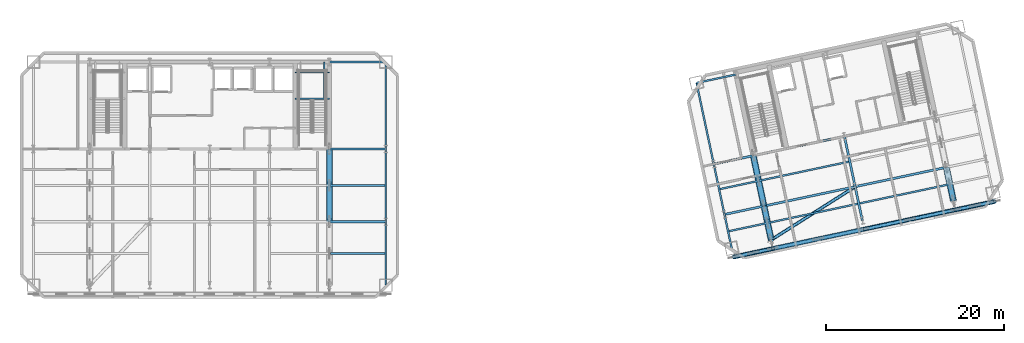
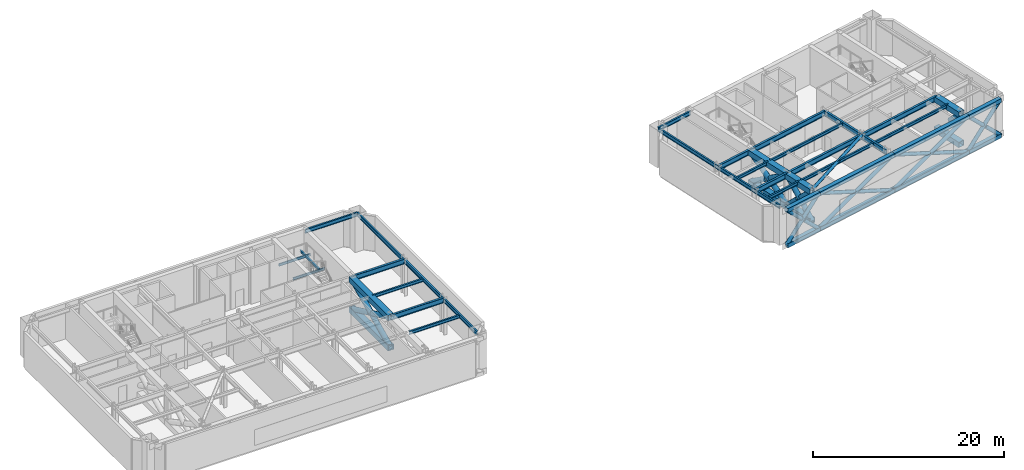
# One storey, part 4 of 15: 39 members, 27 beams.
"""IFC4 building model written with IfcOpenShell, lengths in metres."""

from ifc_helpers import new_model, si_unit, direction, frame, origin, origin_2d, place, context, subcontext, project, spatial, hollow_rectangle, hollow_circle, i_section, extrude, material, material_profile, profile_set, type_object, element, save


model = new_model("IFC4")

# Units and contexts
model_context = context("Model", 3, precision=1e-05, world=origin(), true_north=direction((0.0, 1.0)))
body_context = subcontext(model_context, "Body", "Model", "MODEL_VIEW")
ifc_project = project(units=[si_unit("LENGTHUNIT", "METRE"), si_unit("AREAUNIT", "SQUARE_METRE"), si_unit("VOLUMEUNIT", "CUBIC_METRE"), si_unit("PLANEANGLEUNIT", "RADIAN"), si_unit("MASSUNIT", "GRAM", prefix="KILO")], contexts=[model_context])

# Site, building, storey
site_placement = place(None, origin())
site = spatial("IfcSite", under=ifc_project, at=site_placement, CompositionType="ELEMENT")
building_placement = place(site_placement, origin())
building = spatial("IfcBuilding", under=site, at=building_placement, Name="Haevon Station Towers", CompositionType="ELEMENT")
storey_placement = place(building_placement, frame((0.0, 0.0, 138.0)))
storey = spatial("IfcBuildingStorey", under=building, at=storey_placement, Name="L37", CompositionType="ELEMENT", Elevation=138.0)

# Beams
ifc_material_1 = material(Name="Steel S355", Category="steel")
ifc_material_profile_1 = material_profile(ifc_material_1, i_section(OverallWidth=0.25, OverallDepth=0.64990234375, WebThickness=0.012939453125, FlangeThickness=0.02197265625, at=origin_2d()), Name="H-650x250x13x22")
ifc_profile_set_1 = profile_set([ifc_material_profile_1], Name="Steel S355")
beam_type_1 = type_object("IfcBeamType", Name="BM-G650", PredefinedType="BEAM", material=ifc_profile_set_1)
for number, where, z_axis, x_axis, name in (
    (1, (51.0, 30.0, 4.22509765625), (1.0, 0.0, 0.0), (0.0, 1.0, 0.0), "BM-T1U-L37-02-06"),
    (2, (51.0, 38.199951171875, 4.22509765625), (1.0, 0.0, 0.0), (0.0, 1.0, 0.0), "BM-T1U-L37-03-06"),
):
    element("IfcBeam", number, at=place(storey_placement, frame(where, z_axis=z_axis, x_axis=x_axis)), inside=storey, type_object=beam_type_1, Name=name, PredefinedType="BEAM", context=body_context, shape_type="SweptSolid", body=[
        extrude(i_section(OverallWidth=0.25, OverallDepth=0.64990234375, WebThickness=0.012939453125, FlangeThickness=0.02197265625, at=origin_2d()), origin(), (0.0, 0.0, 1.0), 6.35009765625),
    ])
beam_1_placement = place(storey_placement, frame((95.507568359375, 30.8232421875, 4.22509765625), z_axis=(0.978157487225, 0.207865173094, 0.0), x_axis=(-0.207865173094, 0.978157487225, 0.0)))
element("IfcBeam", 3, at=beam_1_placement, inside=storey, type_object=beam_type_1, Name="BM-T2U-L37-02-01", PredefinedType="BEAM", context=body_context, shape_type="SweptSolid", body=[
    extrude(i_section(OverallWidth=0.25, OverallDepth=0.64990234375, WebThickness=0.012939453125, FlangeThickness=0.02197265625, at=origin_2d()), origin(), (0.0, 0.0, 1.0), 4.550048828125),
])
for number, where, z_axis, x_axis, name in (
    (4, (99.958251953125, 31.76904296875, 4.22509765625), (0.978146794194, 0.207915485254, 0.0), (-0.207915485254, 0.978146794194, 0.0), "BM-T2U-L37-02-02"),
    (5, (110.228759765625, 33.9521484375, 4.22509765625), (0.978146794194, 0.207915485254, 0.0), (-0.207915485254, 0.978146794194, 0.0), "BM-T2U-L37-02-03"),
):
    element("IfcBeam", number, at=place(storey_placement, frame(where, z_axis=z_axis, x_axis=x_axis)), inside=storey, type_object=beam_type_1, Name=name, PredefinedType="BEAM", context=body_context, shape_type="SweptSolid", body=[
        extrude(i_section(OverallWidth=0.25, OverallDepth=0.64990234375, WebThickness=0.012939453125, FlangeThickness=0.02197265625, at=origin_2d()), origin(), (0.0, 0.0, 1.0), 10.5),
    ])
beam_2_placement = place(storey_placement, frame((94.3017578125, 36.496337890625, 4.22509765625), z_axis=(0.978146576304, 0.207916510322, 0.0), x_axis=(-0.207916510322, 0.978146576304, 0.0)))
element("IfcBeam", 6, at=beam_2_placement, inside=storey, type_object=beam_type_1, Name="BM-T2U-L37-03-01", PredefinedType="BEAM", context=body_context, shape_type="SweptSolid", body=[
    extrude(i_section(OverallWidth=0.25, OverallDepth=0.64990234375, WebThickness=0.012939453125, FlangeThickness=0.02197265625, at=origin_2d()), origin(), (0.0, 0.0, 1.0), 4.550048828125),
])
beam_3_placement = place(storey_placement, frame((98.75244140625, 37.4423828125, 4.22509765625), z_axis=(0.978146794194, 0.207915485254, 0.0), x_axis=(-0.207915485254, 0.978146794194, 0.0)))
element("IfcBeam", 7, at=beam_3_placement, inside=storey, type_object=beam_type_1, Name="BM-T2U-L37-03-02", PredefinedType="BEAM", context=body_context, shape_type="SweptSolid", body=[
    extrude(i_section(OverallWidth=0.25, OverallDepth=0.64990234375, WebThickness=0.012939453125, FlangeThickness=0.02197265625, at=origin_2d()), origin(), (0.0, 0.0, 1.0), 10.5),
])
beam_4_placement = place(storey_placement, frame((111.03955078125, 30.137451171875, 4.22509765625), z_axis=(-0.207899934746, 0.97815009949, 0.0), x_axis=(-0.97815009949, -0.207899934746, 0.0)))
element("IfcBeam", 8, at=beam_4_placement, inside=storey, type_object=beam_type_1, Name="BM-T2V-L37-03-01", PredefinedType="BEAM", context=body_context, shape_type="SweptSolid", body=[
    extrude(i_section(OverallWidth=0.25, OverallDepth=0.64990234375, WebThickness=0.012939453125, FlangeThickness=0.02197265625, at=origin_2d()), origin(), (0.0, 0.0, 1.0), 3.89990234375),
])
beam_5_placement = place(storey_placement, frame((110.228759765625, 33.9521484375, 4.22509765625), z_axis=(-0.207896009217, 0.97815093383, 0.0), x_axis=(-0.97815093383, -0.207896009217, 0.0)))
element("IfcBeam", 9, at=beam_5_placement, inside=storey, type_object=beam_type_1, Name="BM-T2V-L37-03-02", PredefinedType="BEAM", context=body_context, shape_type="SweptSolid", body=[
    extrude(i_section(OverallWidth=0.25, OverallDepth=0.64990234375, WebThickness=0.012939453125, FlangeThickness=0.02197265625, at=origin_2d()), origin(), (0.0, 0.0, 1.0), 5.800048828125),
])
ifc_material_profile_2 = material_profile(ifc_material_1, i_section(OverallWidth=0.199951171875, OverallDepth=0.39990234375, WebThickness=0.008056640625, FlangeThickness=0.012939453125, at=origin_2d()), Name="H-400x200x8x13")
ifc_profile_set_2 = profile_set([ifc_material_profile_2], Name="Steel S355")
beam_type_2 = type_object("IfcBeamType", Name="BM-J400", PredefinedType="JOIST", material=ifc_profile_set_2)
for number, where, z_axis, x_axis, name in (
    (10, (51.110107421875, 26.425048828125, 4.35009765625), (1.0, 0.0, 0.0), (0.0, 1.0, 0.0), "BM-T1J-L37-01-06"),
    (11, (51.110107421875, 34.10009765625, 4.35009765625), (1.0, 0.0, 0.0), (0.0, 1.0, 0.0), "BM-T1J-L37-02-06"),
):
    element("IfcBeam", number, at=place(storey_placement, frame(where, z_axis=z_axis, x_axis=x_axis)), inside=storey, type_object=beam_type_2, Name=name, PredefinedType="JOIST", context=body_context, shape_type="SweptSolid", body=[
        extrude(i_section(OverallWidth=0.199951171875, OverallDepth=0.39990234375, WebThickness=0.008056640625, FlangeThickness=0.012939453125, at=origin_2d()), origin(), (0.0, 0.0, 1.0), 6.1298828125),
    ])
beam_6_placement = place(storey_placement, frame((96.020751953125, 28.938720703125, 4.35009765625), z_axis=(0.978152545287, 0.207888427166, 0.0), x_axis=(-0.207888427166, 0.978152545287, 0.0)))
element("IfcBeam", 12, at=beam_6_placement, inside=storey, type_object=beam_type_2, Name="BM-T2J-L37-01-01", PredefinedType="JOIST", context=body_context, shape_type="SweptSolid", body=[
    extrude(i_section(OverallWidth=0.199951171875, OverallDepth=0.39990234375, WebThickness=0.008056640625, FlangeThickness=0.012939453125, at=origin_2d()), origin(), (0.0, 0.0, 1.0), 4.329833984375),
])
for number, where, z_axis, x_axis, name in (
    (13, (100.47119140625, 29.884521484375, 4.35009765625), (0.978145509903, 0.207921527161, 0.0), (-0.207921527161, 0.978145509903, 0.0), "BM-T2J-L37-01-02"),
    (14, (110.74169921875, 32.067626953125, 4.35009765625), (0.978145509903, 0.207921527161, 0.0), (-0.207921527161, 0.978145509903, 0.0), "BM-T2J-L37-01-03"),
):
    element("IfcBeam", number, at=place(storey_placement, frame(where, z_axis=z_axis, x_axis=x_axis)), inside=storey, type_object=beam_type_2, Name=name, PredefinedType="JOIST", context=body_context, shape_type="SweptSolid", body=[
        extrude(i_section(OverallWidth=0.199951171875, OverallDepth=0.39990234375, WebThickness=0.008056640625, FlangeThickness=0.012939453125, at=origin_2d()), origin(), (0.0, 0.0, 1.0), 10.280029296875),
    ])
beam_7_placement = place(storey_placement, frame((95.01220703125, 33.6826171875, 4.35009765625), z_axis=(0.978143516228, 0.20793090598, 0.0), x_axis=(-0.20793090598, 0.978143516228, 0.0)))
element("IfcBeam", 15, at=beam_7_placement, inside=storey, type_object=beam_type_2, Name="BM-T2J-L37-02-01", PredefinedType="JOIST", context=body_context, shape_type="SweptSolid", body=[
    extrude(i_section(OverallWidth=0.199951171875, OverallDepth=0.39990234375, WebThickness=0.008056640625, FlangeThickness=0.012939453125, at=origin_2d()), origin(), (0.0, 0.0, 1.0), 4.330322265625),
])
beam_8_placement = place(storey_placement, frame((99.462890625, 34.628662109375, 4.35009765625), z_axis=(0.978150339653, 0.207898804801, 0.0), x_axis=(-0.207898804801, 0.978150339653, 0.0)))
element("IfcBeam", 16, at=beam_8_placement, inside=storey, type_object=beam_type_2, Name="BM-T2J-L37-02-02", PredefinedType="JOIST", context=body_context, shape_type="SweptSolid", body=[
    extrude(i_section(OverallWidth=0.199951171875, OverallDepth=0.39990234375, WebThickness=0.008056640625, FlangeThickness=0.012939453125, at=origin_2d()), origin(), (0.0, 0.0, 1.0), 10.280029296875),
])
ifc_material_profile_3 = material_profile(ifc_material_1, i_section(OverallWidth=0.14990234375, OverallDepth=0.300048828125, WebThickness=0.006591796875, FlangeThickness=0.009033203125, at=origin_2d()), Name="H-300x150x6.5x9")
ifc_profile_set_3 = profile_set([ifc_material_profile_3], Name="Steel S355")
beam_type_3 = type_object("IfcBeamType", Name="BM-LIN300", PredefinedType="LINTEL", material=ifc_profile_set_3)
for number, where, z_axis, x_axis, name in (
    (17, (47.14990234375, 43.864013671875, 2.050048828125), (1.0, 0.0, 0.0), (0.0, 1.0, 0.0), "BM-ST2L-L37-1-S"),
    (18, (47.14990234375, 46.820068359375, 2.050048828125), (1.0, 0.0, 0.0), (0.0, 1.0, 0.0), "BM-ST2L-L37-1-N"),
):
    element("IfcBeam", number, at=place(storey_placement, frame(where, z_axis=z_axis, x_axis=x_axis)), inside=storey, type_object=beam_type_3, Name=name, PredefinedType="LINTEL", context=body_context, shape_type="SweptSolid", body=[
        extrude(i_section(OverallWidth=0.14990234375, OverallDepth=0.300048828125, WebThickness=0.006591796875, FlangeThickness=0.009033203125, at=origin_2d()), origin(), (0.0, 0.0, 1.0), 3.85009765625),
    ])
beam_9_placement = place(storey_placement, frame((50.39990234375, 43.864013671875, 2.050048828125), z_axis=(0.0, 1.0, 0.0), x_axis=(-1.0, 0.0, 0.0)))
element("IfcBeam", 19, at=beam_9_placement, inside=storey, type_object=beam_type_3, Name="BM-ST2L-L37-1-E", PredefinedType="LINTEL", context=body_context, shape_type="SweptSolid", body=[
    extrude(i_section(OverallWidth=0.14990234375, OverallDepth=0.300048828125, WebThickness=0.006591796875, FlangeThickness=0.009033203125, at=origin_2d()), origin(), (0.0, 0.0, 1.0), 4.135986328125),
])
ifc_material_profile_4 = material_profile(ifc_material_1, i_section(OverallWidth=0.199951171875, OverallDepth=0.5, WebThickness=0.010009765625, FlangeThickness=0.01611328125, at=origin_2d()), Name="H-500x200x10x16")
ifc_profile_set_4 = profile_set([ifc_material_profile_4], Name="Steel S355")
beam_type_4 = type_object("IfcBeamType", Name="BM-SP500", PredefinedType="SPANDREL", material=ifc_profile_set_4)
beam_10_placement = place(storey_placement, frame((51.0, 48.0, 4.300048828125), z_axis=(1.0, 0.0, 0.0), x_axis=(0.0, 1.0, 0.0)))
element("IfcBeam", 20, at=beam_10_placement, inside=storey, type_object=beam_type_4, Name="BM-T1U-L37-04-06", PredefinedType="SPANDREL", context=body_context, shape_type="SweptSolid", body=[
    extrude(i_section(OverallWidth=0.199951171875, OverallDepth=0.5, WebThickness=0.010009765625, FlangeThickness=0.01611328125, at=origin_2d()), origin(), (0.0, 0.0, 1.0), 6.35009765625),
])
beam_11_placement = place(storey_placement, frame((57.35009765625, 22.85009765625, 4.300048828125), z_axis=(0.0, 1.0, 0.0), x_axis=(-1.0, 0.0, 0.0)))
element("IfcBeam", 21, at=beam_11_placement, inside=storey, type_object=beam_type_4, Name="BM-T1V-L37-07-01", PredefinedType="SPANDREL", context=body_context, shape_type="SweptSolid", body=[
    extrude(i_section(OverallWidth=0.199951171875, OverallDepth=0.5, WebThickness=0.010009765625, FlangeThickness=0.01611328125, at=origin_2d()), origin(), (0.0, 0.0, 1.0), 7.14990234375),
])
beam_12_placement = place(storey_placement, frame((57.35009765625, 30.0, 4.300048828125), z_axis=(0.0, 1.0, 0.0), x_axis=(-1.0, 0.0, 0.0)))
element("IfcBeam", 22, at=beam_12_placement, inside=storey, type_object=beam_type_4, Name="BM-T1V-L37-07-02", PredefinedType="SPANDREL", context=body_context, shape_type="SweptSolid", body=[
    extrude(i_section(OverallWidth=0.199951171875, OverallDepth=0.5, WebThickness=0.010009765625, FlangeThickness=0.01611328125, at=origin_2d()), origin(), (0.0, 0.0, 1.0), 8.199951171875),
])
beam_13_placement = place(storey_placement, frame((57.35009765625, 38.199951171875, 4.300048828125), z_axis=(0.0, 1.0, 0.0), x_axis=(-1.0, 0.0, 0.0)))
element("IfcBeam", 23, at=beam_13_placement, inside=storey, type_object=beam_type_4, Name="BM-T1V-L37-07-03", PredefinedType="SPANDREL", context=body_context, shape_type="SweptSolid", body=[
    extrude(i_section(OverallWidth=0.199951171875, OverallDepth=0.5, WebThickness=0.010009765625, FlangeThickness=0.01611328125, at=origin_2d()), origin(), (0.0, 0.0, 1.0), 9.800048828125),
])
beam_14_placement = place(storey_placement, frame((92.35791015625, 45.64208984375, 4.300048828125), z_axis=(0.978144256617, 0.207927423029, 0.0), x_axis=(-0.207927423029, 0.978144256617, 0.0)))
element("IfcBeam", 24, at=beam_14_placement, inside=storey, type_object=beam_type_4, Name="BM-T2U-L37-04-01", PredefinedType="SPANDREL", context=body_context, shape_type="SweptSolid", body=[
    extrude(i_section(OverallWidth=0.199951171875, OverallDepth=0.5, WebThickness=0.010009765625, FlangeThickness=0.01611328125, at=origin_2d()), origin(), (0.0, 0.0, 1.0), 4.5498046875),
])
beam_15_placement = place(storey_placement, frame((96.318603515625, 27.00830078125, 4.300048828125), z_axis=(-0.207947096322, 0.978140074392, 0.0), x_axis=(-0.978140074392, -0.207947096322, 0.0)))
element("IfcBeam", 25, at=beam_15_placement, inside=storey, type_object=beam_type_4, Name="BM-T2V-L37-01-01", PredefinedType="SPANDREL", context=body_context, shape_type="SweptSolid", body=[
    extrude(i_section(OverallWidth=0.199951171875, OverallDepth=0.5, WebThickness=0.010009765625, FlangeThickness=0.01611328125, at=origin_2d()), origin(), (0.0, 0.0, 1.0), 3.900146484375),
])
beam_16_placement = place(storey_placement, frame((95.507568359375, 30.8232421875, 4.300048828125), z_axis=(-0.207904569273, 0.978149114438, 0.0), x_axis=(-0.978149114438, -0.207904569273, 0.0)))
element("IfcBeam", 26, at=beam_16_placement, inside=storey, type_object=beam_type_4, Name="BM-T2V-L37-01-02", PredefinedType="SPANDREL", context=body_context, shape_type="SweptSolid", body=[
    extrude(i_section(OverallWidth=0.199951171875, OverallDepth=0.5, WebThickness=0.010009765625, FlangeThickness=0.01611328125, at=origin_2d()), origin(), (0.0, 0.0, 1.0), 5.7998046875),
])
beam_17_placement = place(storey_placement, frame((94.3017578125, 36.496337890625, 4.300048828125), z_axis=(-0.207897167074, 0.978150687738, 0.0), x_axis=(-0.978150687738, -0.207897167074, 0.0)))
element("IfcBeam", 27, at=beam_17_placement, inside=storey, type_object=beam_type_4, Name="BM-T2V-L37-01-03", PredefinedType="SPANDREL", context=body_context, shape_type="SweptSolid", body=[
    extrude(i_section(OverallWidth=0.199951171875, OverallDepth=0.5, WebThickness=0.010009765625, FlangeThickness=0.01611328125, at=origin_2d()), origin(), (0.0, 0.0, 1.0), 9.35009765625),
])

# Members
ifc_material_2 = material(Name="Steel S460", Category="steel")
ifc_material_profile_5 = material_profile(ifc_material_2, hollow_circle(Radius=0.228515625, WallThickness=0.02001953125, at=origin_2d()), Name="CHS-457x20")
ifc_profile_set_5 = profile_set([ifc_material_profile_5], Name="Steel S460")
member_type_1 = type_object("IfcMemberType", Name="BRBLT-457", PredefinedType="BRACE", material=ifc_profile_set_5)
member_1_placement = place(storey_placement, frame((96.5263671875, 26.0302734375, -0.080078125), z_axis=(0.694709246581, 0.147668586423, 0.703969496), x_axis=(-0.207916510322, 0.978146576304, 0.0)))
element("IfcMember", 28, at=member_1_placement, inside=storey, type_object=member_type_1, Name="Tower 2 L37 Belt Truss Continuous Diagonal", PredefinedType="BRACE", context=body_context, shape_type="SweptSolid", body=[
    extrude(hollow_circle(Radius=0.228515625, WallThickness=0.02001953125, at=origin_2d()), origin(), (0.0, 0.0, 1.0), 6.406494140625),
])
for number, where, z_axis, x_axis, name in (
    (29, (96.5263671875, 26.0302734375, 4.429931640625), (0.694725571885, 0.147663174572, -0.703954520296), (-0.207904545388, 0.978149119514, 0.0), "Tower 2 L37 Belt Truss Split Counter Diagonal Lower"),
    (30, (98.918701171875, 26.538818359375, 2.005615234375), (0.694725571885, 0.147663174572, -0.703954520296), (-0.207904545388, 0.978149119514, 0.0), "Tower 2 L37 Belt Truss Split Counter Diagonal Upper"),
):
    element("IfcMember", number, at=place(storey_placement, frame(where, z_axis=z_axis, x_axis=x_axis)), inside=storey, type_object=member_type_1, Name=name, PredefinedType="BRACE", context=body_context, shape_type="SweptSolid", body=[
        extrude(hollow_circle(Radius=0.228515625, WallThickness=0.02001953125, at=origin_2d()), origin(), (0.0, 0.0, 1.0), 2.962890625),
    ])
member_2_placement = place(storey_placement, frame((100.97705078125, 26.976318359375, -0.080078125), z_axis=(0.898747800325, 0.191038386196, 0.394660267077), x_axis=(-0.207915485254, 0.978146794194, 0.0)))
element("IfcMember", 31, at=member_2_placement, inside=storey, type_object=member_type_1, Name="Tower 2 L37 Belt Truss Continuous Diagonal", PredefinedType="BRACE", context=body_context, shape_type="SweptSolid", body=[
    extrude(hollow_circle(Radius=0.228515625, WallThickness=0.02001953125, at=origin_2d()), origin(), (0.0, 0.0, 1.0), 11.427490234375),
])
member_3_placement = place(storey_placement, frame((100.97705078125, 26.976318359375, 4.429931640625), z_axis=(0.898768439275, 0.191003347907, -0.394630223945), x_axis=(-0.207874432216, 0.978155519552, 0.0)))
element("IfcMember", 32, at=member_3_placement, inside=storey, type_object=member_type_1, Name="Tower 2 L37 Belt Truss Split Counter Diagonal Lower", PredefinedType="BRACE", context=body_context, shape_type="SweptSolid", body=[
    extrude(hollow_circle(Radius=0.228515625, WallThickness=0.02001953125, at=origin_2d()), origin(), (0.0, 0.0, 1.0), 5.47314453125),
])
member_4_placement = place(storey_placement, frame((106.328369140625, 28.11376953125, 2.080078125), z_axis=(0.898744960029, 0.191042963115, -0.394664519645), x_axis=(-0.207920879857, 0.978145647498, 0.0)))
element("IfcMember", 33, at=member_4_placement, inside=storey, type_object=member_type_1, Name="Tower 2 L37 Belt Truss Split Counter Diagonal Upper", PredefinedType="BRACE", context=body_context, shape_type="SweptSolid", body=[
    extrude(hollow_circle(Radius=0.228515625, WallThickness=0.02001953125, at=origin_2d()), origin(), (0.0, 0.0, 1.0), 5.473388671875),
])
member_5_placement = place(storey_placement, frame((111.24755859375, 29.159423828125, -0.080078125), z_axis=(0.898751468271, 0.191017801602, 0.394661877754), x_axis=(-0.207893238667, 0.978151522678, 0.0)))
element("IfcMember", 34, at=member_5_placement, inside=storey, type_object=member_type_1, Name="Tower 2 L37 Belt Truss Continuous Diagonal", PredefinedType="BRACE", context=body_context, shape_type="SweptSolid", body=[
    extrude(hollow_circle(Radius=0.228515625, WallThickness=0.02001953125, at=origin_2d()), origin(), (0.0, 0.0, 1.0), 11.427490234375),
])
member_6_placement = place(storey_placement, frame((111.24755859375, 29.159423828125, 4.429931640625), z_axis=(0.898768439275, 0.191003347907, -0.394630223945), x_axis=(-0.207874432216, 0.978155519552, 0.0)))
element("IfcMember", 35, at=member_6_placement, inside=storey, type_object=member_type_1, Name="Tower 2 L37 Belt Truss Split Counter Diagonal Lower", PredefinedType="BRACE", context=body_context, shape_type="SweptSolid", body=[
    extrude(hollow_circle(Radius=0.228515625, WallThickness=0.02001953125, at=origin_2d()), origin(), (0.0, 0.0, 1.0), 5.47314453125),
])
member_7_placement = place(storey_placement, frame((116.598876953125, 30.296875, 2.080078125), z_axis=(0.898752617852, 0.190999985589, -0.394667882414), x_axis=(-0.207874432216, 0.978155519552, 0.0)))
element("IfcMember", 36, at=member_7_placement, inside=storey, type_object=member_type_1, Name="Tower 2 L37 Belt Truss Split Counter Diagonal Upper", PredefinedType="BRACE", context=body_context, shape_type="SweptSolid", body=[
    extrude(hollow_circle(Radius=0.228515625, WallThickness=0.02001953125, at=origin_2d()), origin(), (0.0, 0.0, 1.0), 5.473388671875),
])
member_8_placement = place(storey_placement, frame((121.51806640625, 31.34228515625, -0.080078125), z_axis=(0.694709246581, 0.147668586423, 0.703969496), x_axis=(-0.207916510322, 0.978146576304, 0.0)))
element("IfcMember", 37, at=member_8_placement, inside=storey, type_object=member_type_1, Name="Tower 2 L37 Belt Truss Continuous Diagonal", PredefinedType="BRACE", context=body_context, shape_type="SweptSolid", body=[
    extrude(hollow_circle(Radius=0.228515625, WallThickness=0.02001953125, at=origin_2d()), origin(), (0.0, 0.0, 1.0), 6.406494140625),
])
for number, where, z_axis, x_axis, name in (
    (38, (121.51806640625, 31.34228515625, 4.429931640625), (0.694725571885, 0.147663174572, -0.703954520296), (-0.207904545388, 0.978149119514, 0.0), "Tower 2 L37 Belt Truss Split Counter Diagonal Lower"),
    (39, (123.910400390625, 31.850830078125, 2.005615234375), (0.694725571885, 0.147663174572, -0.703954520296), (-0.207904545388, 0.978149119514, 0.0), "Tower 2 L37 Belt Truss Split Counter Diagonal Upper"),
):
    element("IfcMember", number, at=place(storey_placement, frame(where, z_axis=z_axis, x_axis=x_axis)), inside=storey, type_object=member_type_1, Name=name, PredefinedType="BRACE", context=body_context, shape_type="SweptSolid", body=[
        extrude(hollow_circle(Radius=0.228515625, WallThickness=0.02001953125, at=origin_2d()), origin(), (0.0, 0.0, 1.0), 2.962890625),
    ])
ifc_material_profile_6 = material_profile(ifc_material_2, hollow_circle(Radius=0.3046875, WallThickness=0.02490234375, at=origin_2d()), Name="CHS-609.6x25")
ifc_profile_set_6 = profile_set([ifc_material_profile_6], Name="Steel S460")
member_type_2 = type_object("IfcMemberType", Name="BROUT-610", PredefinedType="BRACE", material=ifc_profile_set_6)
member_9_placement = place(storey_placement, frame((51.0, 30.0, 0.35009765625), z_axis=(0.0, 0.905198859687, 0.424988263864), x_axis=(-1.0, 0.0, 0.0)))
element("IfcMember", 40, at=member_9_placement, inside=storey, type_object=member_type_2, Name="Tower 1 L37 Outrigger Truss Continuous Web Brace", PredefinedType="BRACE", context=body_context, shape_type="SweptSolid", body=[
    extrude(hollow_circle(Radius=0.3046875, WallThickness=0.02490234375, at=origin_2d()), origin(), (0.0, 0.0, 1.0), 9.058837890625),
])
for number, where, z_axis, x_axis, name in (
    (41, (51.0, 30.25341796875, 4.0810546875), (0.0, 0.905181378776, -0.425025495137), (-1.0, 0.0, 0.0), "Tower 1 L37 Outrigger Truss Split Counter Brace Lower"),
    (42, (51.0, 34.386962890625, 2.140380859375), (0.0, 0.905181378776, -0.425025495137), (-1.0, 0.0, 0.0), "Tower 1 L37 Outrigger Truss Split Counter Brace Upper"),
):
    element("IfcMember", number, at=place(storey_placement, frame(where, z_axis=z_axis, x_axis=x_axis)), inside=storey, type_object=member_type_2, Name=name, PredefinedType="BRACE", context=body_context, shape_type="SweptSolid", body=[
        extrude(hollow_circle(Radius=0.3046875, WallThickness=0.02490234375, at=origin_2d()), origin(), (0.0, 0.0, 1.0), 3.932373046875),
    ])
member_10_placement = place(storey_placement, frame((100.76904296875, 27.954345703125, 0.35009765625), z_axis=(-0.147953901278, 0.696109517454, 0.702524862767), x_axis=(-0.97815009949, -0.207899934746, 0.0)))
element("IfcMember", 43, at=member_10_placement, inside=storey, type_object=member_type_2, Name="Tower 2 L37 Outrigger Truss Continuous Web Brace", PredefinedType="BRACE", context=body_context, shape_type="SweptSolid", body=[
    extrude(hollow_circle(Radius=0.3046875, WallThickness=0.02490234375, at=origin_2d()), origin(), (0.0, 0.0, 1.0), 5.47998046875),
])
for number, where, z_axis, x_axis, name in (
    (44, (100.727783203125, 28.149169921875, 4.003173828125), (-0.147985521687, 0.696181311031, -0.702447056753), (-0.978145424542, -0.207921928732, 0.0), "Tower 2 L37 Outrigger Truss Split Counter Brace Lower"),
    (45, (100.316650390625, 30.08251953125, 2.05224609375), (-0.147873983617, 0.696078613175, -0.702572308912), (-0.97817105549, -0.207801314243, 0.0), "Tower 2 L37 Outrigger Truss Split Counter Brace Upper"),
):
    element("IfcMember", number, at=place(storey_placement, frame(where, z_axis=z_axis, x_axis=x_axis)), inside=storey, type_object=member_type_2, Name=name, PredefinedType="BRACE", context=body_context, shape_type="SweptSolid", body=[
        extrude(hollow_circle(Radius=0.3046875, WallThickness=0.02490234375, at=origin_2d()), origin(), (0.0, 0.0, 1.0), 2.14306640625),
    ])
member_11_placement = place(storey_placement, frame((99.958251953125, 31.76904296875, 0.35009765625), z_axis=(-0.173211930276, 0.814962307301, 0.553022662184), x_axis=(-0.97815093383, -0.207896009217, 0.0)))
element("IfcMember", 46, at=member_11_placement, inside=storey, type_object=member_type_2, Name="Tower 2 L37 Outrigger Truss Continuous Web Brace", PredefinedType="BRACE", context=body_context, shape_type="SweptSolid", body=[
    extrude(hollow_circle(Radius=0.3046875, WallThickness=0.02490234375, at=origin_2d()), origin(), (0.0, 0.0, 1.0), 6.96142578125),
])
for number, where, z_axis, x_axis, name in (
    (47, (99.90966796875, 31.997314453125, 4.045166015625), (-0.173211982079, 0.814925972383, -0.553076187157), (-0.978149036179, -0.207904937463, 0.0), "Tower 2 L37 Outrigger Truss Split Counter Brace Lower"),
    (48, (99.30029296875, 34.864013671875, 2.099609375), (-0.173220092296, 0.814964129247, -0.553017420761), (-0.978149036179, -0.207904937463, 0.0), "Tower 2 L37 Outrigger Truss Split Counter Brace Upper"),
):
    element("IfcMember", number, at=place(storey_placement, frame(where, z_axis=z_axis, x_axis=x_axis)), inside=storey, type_object=member_type_2, Name=name, PredefinedType="BRACE", context=body_context, shape_type="SweptSolid", body=[
        extrude(hollow_circle(Radius=0.3046875, WallThickness=0.02490234375, at=origin_2d()), origin(), (0.0, 0.0, 1.0), 2.8837890625),
    ])
member_12_placement = place(storey_placement, frame((121.268798828125, 32.515380859375, 4.003173828125), z_axis=(-0.147985521687, 0.696181311031, -0.702447056753), x_axis=(-0.978145424542, -0.207921928732, 0.0)))
element("IfcMember", 49, at=member_12_placement, inside=storey, type_object=member_type_2, Name="Tower 2 L37 Outrigger Truss Split Counter Brace Lower", PredefinedType="BRACE", context=body_context, shape_type="SweptSolid", body=[
    extrude(hollow_circle(Radius=0.3046875, WallThickness=0.02490234375, at=origin_2d()), origin(), (0.0, 0.0, 1.0), 2.14306640625),
])
ifc_material_profile_7 = material_profile(ifc_material_2, hollow_rectangle(XDim=0.5, YDim=0.5, WallThickness=0.02490234375, at=origin_2d()), Name="RHS-500x500x25")
ifc_profile_set_7 = profile_set([ifc_material_profile_7], Name="Steel S460")
member_type_3 = type_object("IfcMemberType", Name="CHBLT-500", PredefinedType="CHORD", material=ifc_profile_set_7)
for number, where, z_axis, x_axis, name in (
    (50, (96.5263671875, 26.0302734375, -0.080078125), (0.978146576304, 0.207916510322, 0.0), (-0.207916510322, 0.978146576304, 0.0), "Tower 2 L37 Belt Truss Bottom Chord"),
    (51, (96.5263671875, 26.0302734375, 4.429931640625), (0.978146576304, 0.207916510322, 0.0), (-0.207916510322, 0.978146576304, 0.0), "Tower 2 L37 Belt Truss Top Chord"),
):
    element("IfcMember", number, at=place(storey_placement, frame(where, z_axis=z_axis, x_axis=x_axis)), inside=storey, type_object=member_type_3, Name=name, PredefinedType="CHORD", context=body_context, shape_type="SweptSolid", body=[
        extrude(hollow_rectangle(XDim=0.5, YDim=0.5, WallThickness=0.02490234375, at=origin_2d()), origin(), (0.0, 0.0, 1.0), 4.550048828125),
    ])
for number, where, z_axis, x_axis, name in (
    (52, (100.97705078125, 26.976318359375, -0.080078125), (0.978146794194, 0.207915485254, 0.0), (-0.207915485254, 0.978146794194, 0.0), "Tower 2 L37 Belt Truss Bottom Chord"),
    (53, (100.97705078125, 26.976318359375, 4.429931640625), (0.978146794194, 0.207915485254, 0.0), (-0.207915485254, 0.978146794194, 0.0), "Tower 2 L37 Belt Truss Top Chord"),
    (54, (111.24755859375, 29.159423828125, -0.080078125), (0.978151522678, 0.207893238667, 0.0), (-0.207893238667, 0.978151522678, 0.0), "Tower 2 L37 Belt Truss Bottom Chord"),
    (55, (111.24755859375, 29.159423828125, 4.429931640625), (0.978151522678, 0.207893238667, 0.0), (-0.207893238667, 0.978151522678, 0.0), "Tower 2 L37 Belt Truss Top Chord"),
):
    element("IfcMember", number, at=place(storey_placement, frame(where, z_axis=z_axis, x_axis=x_axis)), inside=storey, type_object=member_type_3, Name=name, PredefinedType="CHORD", context=body_context, shape_type="SweptSolid", body=[
        extrude(hollow_rectangle(XDim=0.5, YDim=0.5, WallThickness=0.02490234375, at=origin_2d()), origin(), (0.0, 0.0, 1.0), 10.5),
    ])
for number, where, z_axis, x_axis, name in (
    (56, (121.51806640625, 31.34228515625, -0.080078125), (0.978146576304, 0.207916510322, 0.0), (-0.207916510322, 0.978146576304, 0.0), "Tower 2 L37 Belt Truss Bottom Chord"),
    (57, (121.51806640625, 31.34228515625, 4.429931640625), (0.978146576304, 0.207916510322, 0.0), (-0.207916510322, 0.978146576304, 0.0), "Tower 2 L37 Belt Truss Top Chord"),
):
    element("IfcMember", number, at=place(storey_placement, frame(where, z_axis=z_axis, x_axis=x_axis)), inside=storey, type_object=member_type_3, Name=name, PredefinedType="CHORD", context=body_context, shape_type="SweptSolid", body=[
        extrude(hollow_rectangle(XDim=0.5, YDim=0.5, WallThickness=0.02490234375, at=origin_2d()), origin(), (0.0, 0.0, 1.0), 4.550048828125),
    ])
ifc_material_profile_8 = material_profile(ifc_material_2, hollow_rectangle(XDim=0.699951171875, YDim=0.699951171875, WallThickness=0.034912109375, at=origin_2d()), Name="RHS-700x700x35")
ifc_profile_set_8 = profile_set([ifc_material_profile_8], Name="Steel S460")
member_type_4 = type_object("IfcMemberType", Name="CHOUT-700", PredefinedType="CHORD", material=ifc_profile_set_8)
for number, where, z_axis, x_axis, name in (
    (58, (51.0, 30.0, 0.35009765625), (0.0, 1.0, 0.0), (-1.0, 0.0, 0.0), "Tower 1 L37 Outrigger Truss Bottom Chord"),
    (59, (51.0, 30.0, 4.199951171875), (0.0, 1.0, 0.0), (-1.0, 0.0, 0.0), "Tower 1 L37 Outrigger Truss Top Chord"),
):
    element("IfcMember", number, at=place(storey_placement, frame(where, z_axis=z_axis, x_axis=x_axis)), inside=storey, type_object=member_type_4, Name=name, PredefinedType="CHORD", context=body_context, shape_type="SweptSolid", body=[
        extrude(hollow_rectangle(XDim=0.699951171875, YDim=0.699951171875, WallThickness=0.034912109375, at=origin_2d()), origin(), (0.0, 0.0, 1.0), 8.199951171875),
    ])
for number, where, z_axis, x_axis, name in (
    (60, (100.76904296875, 27.954345703125, 0.35009765625), (-0.207899934746, 0.97815009949, 0.0), (-0.97815009949, -0.207899934746, 0.0), "Tower 2 L37 Outrigger Truss Bottom Chord"),
    (61, (100.76904296875, 27.954345703125, 4.199951171875), (-0.207899934746, 0.97815009949, 0.0), (-0.97815009949, -0.207899934746, 0.0), "Tower 2 L37 Outrigger Truss Top Chord"),
):
    element("IfcMember", number, at=place(storey_placement, frame(where, z_axis=z_axis, x_axis=x_axis)), inside=storey, type_object=member_type_4, Name=name, PredefinedType="CHORD", context=body_context, shape_type="SweptSolid", body=[
        extrude(hollow_rectangle(XDim=0.699951171875, YDim=0.699951171875, WallThickness=0.034912109375, at=origin_2d()), origin(), (0.0, 0.0, 1.0), 3.89990234375),
    ])
for number, where, z_axis, x_axis, name in (
    (62, (99.958251953125, 31.76904296875, 0.35009765625), (-0.207896009217, 0.97815093383, 0.0), (-0.97815093383, -0.207896009217, 0.0), "Tower 2 L37 Outrigger Truss Bottom Chord"),
    (63, (99.958251953125, 31.76904296875, 4.199951171875), (-0.207896009217, 0.97815093383, 0.0), (-0.97815093383, -0.207896009217, 0.0), "Tower 2 L37 Outrigger Truss Top Chord"),
):
    element("IfcMember", number, at=place(storey_placement, frame(where, z_axis=z_axis, x_axis=x_axis)), inside=storey, type_object=member_type_4, Name=name, PredefinedType="CHORD", context=body_context, shape_type="SweptSolid", body=[
        extrude(hollow_rectangle(XDim=0.699951171875, YDim=0.699951171875, WallThickness=0.034912109375, at=origin_2d()), origin(), (0.0, 0.0, 1.0), 5.800048828125),
    ])
for number, where, z_axis, x_axis, name in (
    (64, (121.310302734375, 32.320556640625, 0.35009765625), (-0.207959829392, 0.978137367326, 0.0), (-0.978137367326, -0.207959829392, 0.0), "Tower 2 L37 Outrigger Truss Bottom Chord"),
    (65, (121.310302734375, 32.320556640625, 4.199951171875), (-0.207959829392, 0.978137367326, 0.0), (-0.978137367326, -0.207959829392, 0.0), "Tower 2 L37 Outrigger Truss Top Chord"),
):
    element("IfcMember", number, at=place(storey_placement, frame(where, z_axis=z_axis, x_axis=x_axis)), inside=storey, type_object=member_type_4, Name=name, PredefinedType="CHORD", context=body_context, shape_type="SweptSolid", body=[
        extrude(hollow_rectangle(XDim=0.699951171875, YDim=0.699951171875, WallThickness=0.034912109375, at=origin_2d()), origin(), (0.0, 0.0, 1.0), 3.89990234375),
    ])
ifc_material_profile_9 = material_profile(ifc_material_1, hollow_circle(Radius=0.177734375, WallThickness=0.01611328125, at=origin_2d()), Name="CHS-355.6x16")
ifc_profile_set_9 = profile_set([ifc_material_profile_9], Name="Steel S355")
member_type_5 = type_object("IfcMemberType", Name="STTIE-356", PredefinedType="STRUT", material=ifc_profile_set_9)
member_13_placement = place(storey_placement, frame((100.76904296875, 27.954345703125, 4.389892578125), z_axis=(0.844550652326, 0.535475672328, 0.0), x_axis=(-0.535475672328, 0.844550652326, 0.0)))
element("IfcMember", 66, at=member_13_placement, inside=storey, type_object=member_type_5, Name="ST-T2TIE-L37", PredefinedType="STRUT", context=body_context, shape_type="SweptSolid", body=[
    extrude(hollow_circle(Radius=0.177734375, WallThickness=0.01611328125, at=origin_2d()), origin(), (0.0, 0.0, 1.0), 11.200927734375),
])

save(model, "model.ifc")
